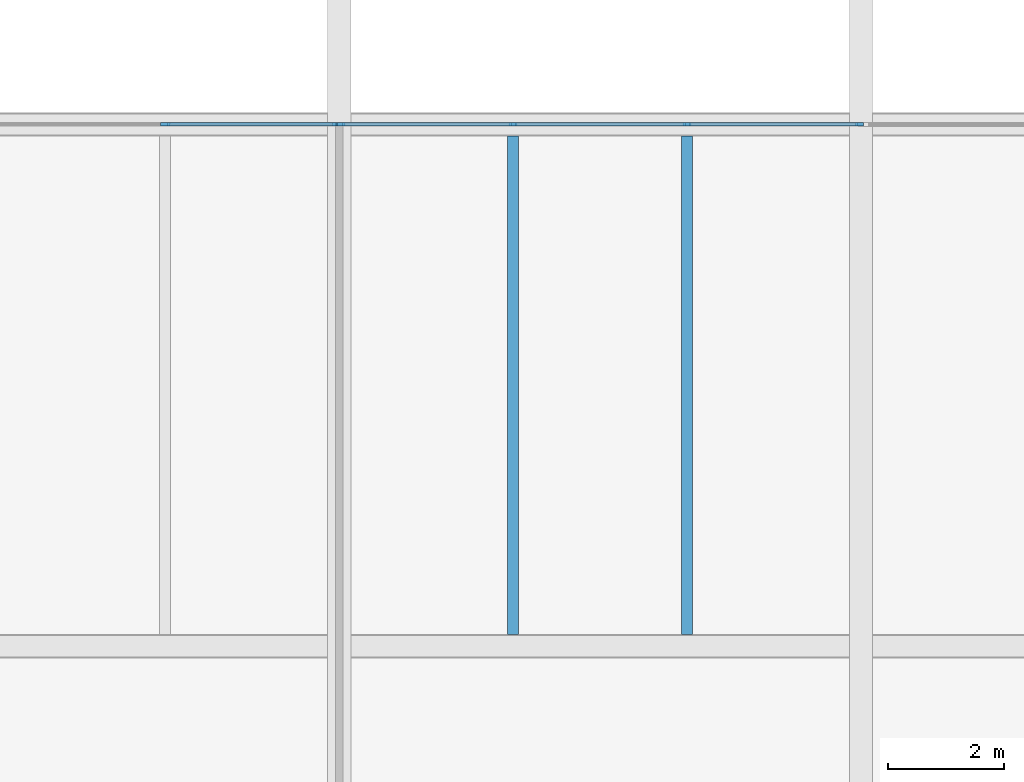
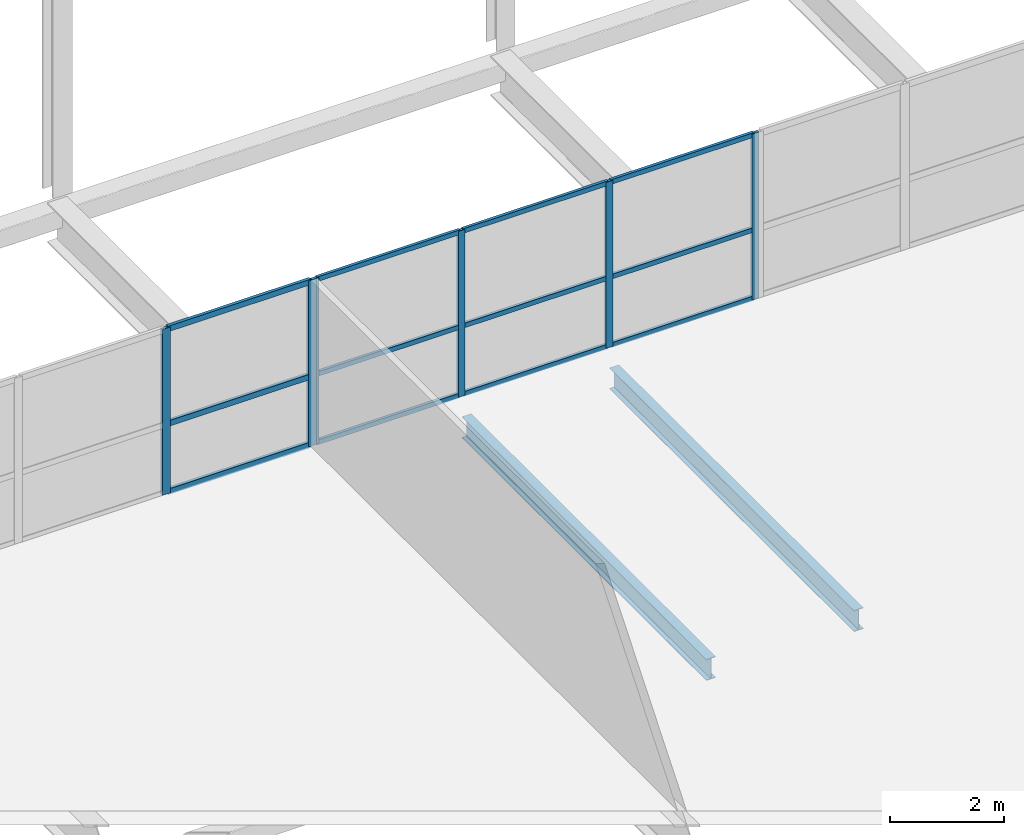
# One storey, part 34 of 69: 18 members, 2 beams, 2 elements without a shape of their own.
"""IFC4 building model written with IfcOpenShell, lengths in metres."""

from ifc_helpers import new_model, si_unit, direction, frame, origin, origin_2d, place, context, subcontext, project, spatial, rectangle, i_section, extrude, material, layer, layer_set, material_profile, profile_set, type_object, element, aggregate, save


model = new_model("IFC4")

# Units and contexts
model_context = context("Model", 3, precision=1e-05, world=origin(), true_north=direction((0.0, 1.0)))
body_context = subcontext(model_context, "Body", "Model", "MODEL_VIEW")
ifc_project = project(units=[si_unit("LENGTHUNIT", "METRE"), si_unit("AREAUNIT", "SQUARE_METRE"), si_unit("VOLUMEUNIT", "CUBIC_METRE"), si_unit("PLANEANGLEUNIT", "RADIAN"), si_unit("MASSUNIT", "GRAM", prefix="KILO")], contexts=[model_context])

# Site, building, storey
site_placement = place(None, origin())
site = spatial("IfcSite", under=ifc_project, at=site_placement, CompositionType="ELEMENT")
building_placement = place(site_placement, origin())
building = spatial("IfcBuilding", under=site, at=building_placement, Name="Qamarlyn Nura Convention Centre", CompositionType="ELEMENT")
storey_placement = place(building_placement, frame((0.0, 0.0, 15.60009765625)))
storey = spatial("IfcBuildingStorey", under=building, at=storey_placement, Name="L03", CompositionType="ELEMENT", Elevation=15.60009765625)

# Beams
ifc_material_1 = material(Name="Steel ASTM A992", Category="steel")
ifc_material_profile_1 = material_profile(ifc_material_1, i_section(OverallWidth=0.18994140625, OverallDepth=0.45703125, WebThickness=0.009033203125, FlangeThickness=0.014404296875, FilletRadius=0.012939453125, at=origin_2d()), Name="W460X74")
ifc_profile_set_1 = profile_set([ifc_material_profile_1], Name="Steel ASTM A992")
beam_type = type_object("IfcBeamType", Name="BM-JOIST-460", PredefinedType="JOIST", material=ifc_profile_set_1)
for number, where, z_axis, x_axis, name in (
    (1, (174.0, 108.199951171875, -0.528564453125), (0.0, 1.0, 0.0), (-1.0, 0.0, 0.0), "L03 secondary joist 15-16/N-P-40"),
    (2, (177.0, 108.199951171875, -0.528564453125), (0.0, 1.0, 0.0), (-1.0, 0.0, 0.0), "L03 secondary joist 15-16/N-P-41"),
):
    element("IfcBeam", number, at=place(storey_placement, frame(where, z_axis=z_axis, x_axis=x_axis)), inside=storey, type_object=beam_type, Name=name, PredefinedType="JOIST", context=body_context, shape_type="SweptSolid", body=[
        extrude(i_section(OverallWidth=0.18994140625, OverallDepth=0.45703125, WebThickness=0.009033203125, FlangeThickness=0.014404296875, FilletRadius=0.012939453125, at=origin_2d()), origin(), (0.0, 0.0, 1.0), 8.60009765625),
    ])

# Curtain wall, members
ifc_material_2 = material(Name="Double-silver low-E insulated glass", Category="glass")
ifc_layer = layer(ifc_material_2, 0.179931640625, Name="CW-UNIT-131")
ifc_layer_set = layer_set([ifc_layer], Name="Double-silver low-E insulated glass")
curtain_wall_type = type_object("IfcCurtainWallType", Name="CW-UNIT-131", PredefinedType="NOTDEFINED", material=ifc_layer_set)
curtain_wall_1_placement = place(storey_placement, origin())
curtain_wall_1 = element("IfcCurtainWall", 3, at=curtain_wall_1_placement, inside=storey, type_object=curtain_wall_type, Name="L03 unitised curtain wall PLN-N4-1", PredefinedType="NOTDEFINED")
ifc_material_3 = material(Name="Champagne-anodised marine aluminium", Category="aluminium")
ifc_material_profile_2 = material_profile(ifc_material_3, rectangle(XDim=0.06005859375, YDim=0.139892578125, at=origin_2d()), Name="ALU MULLION 60x140")
ifc_profile_set_2 = profile_set([ifc_material_profile_2], Name="Champagne-anodised marine aluminium")
member_type_1 = type_object("IfcMemberType", Name="CWM-140", PredefinedType="MULLION", material=ifc_profile_set_2)
member_1_placement = place(storey_placement, frame((171.030029296875, 117.0, 0.0), z_axis=(0.0, 0.0, 1.0), x_axis=(0.0, 1.0, 0.0)))
member_1 = element("IfcMember", 4, at=member_1_placement, type_object=member_type_1, Name="CW131 mullion 1", PredefinedType="MULLION", context=body_context, shape_type="SweptSolid", body=[
    extrude(rectangle(XDim=0.06005859375, YDim=0.139892578125, at=origin_2d()), origin(), (0.0, 0.0, 1.0), 3.5634765625),
])
member_2_placement = place(storey_placement, frame((174.0, 117.0, 0.0), z_axis=(0.0, 0.0, 1.0), x_axis=(0.0, 1.0, 0.0)))
member_2 = element("IfcMember", 5, at=member_2_placement, type_object=member_type_1, Name="CW131 mullion 2", PredefinedType="MULLION", context=body_context, shape_type="SweptSolid", body=[
    extrude(rectangle(XDim=0.06005859375, YDim=0.139892578125, at=origin_2d()), origin(), (0.0, 0.0, 1.0), 3.5634765625),
])
member_3_placement = place(storey_placement, frame((177.0, 117.0, 0.0), z_axis=(0.0, 0.0, 1.0), x_axis=(0.0, 1.0, 0.0)))
member_3 = element("IfcMember", 6, at=member_3_placement, type_object=member_type_1, Name="CW131 mullion 3", PredefinedType="MULLION", context=body_context, shape_type="SweptSolid", body=[
    extrude(rectangle(XDim=0.06005859375, YDim=0.139892578125, at=origin_2d()), origin(), (0.0, 0.0, 1.0), 3.5634765625),
])
member_4_placement = place(storey_placement, frame((179.969970703125, 117.0, 0.0), z_axis=(0.0, 0.0, 1.0), x_axis=(0.0, 1.0, 0.0)))
member_4 = element("IfcMember", 7, at=member_4_placement, type_object=member_type_1, Name="CW131 mullion 4", PredefinedType="MULLION", context=body_context, shape_type="SweptSolid", body=[
    extrude(rectangle(XDim=0.06005859375, YDim=0.139892578125, at=origin_2d()), origin(), (0.0, 0.0, 1.0), 3.5634765625),
])

curtain_wall_2_placement = place(storey_placement, origin())
curtain_wall_2 = element("IfcCurtainWall", 8, at=curtain_wall_2_placement, inside=storey, type_object=curtain_wall_type, Name="L03 unitised curtain wall PLN-N3-1", PredefinedType="NOTDEFINED")
ifc_material_profile_3 = material_profile(ifc_material_3, rectangle(XDim=0.06494140625, YDim=0.159912109375, at=origin_2d()), Name="ALU MULLION 65x160")
ifc_profile_set_3 = profile_set([ifc_material_profile_3], Name="Champagne-anodised marine aluminium")
member_type_2 = type_object("IfcMemberType", Name="CWM-160", PredefinedType="MULLION", material=ifc_profile_set_3)
member_5_placement = place(storey_placement, frame((168.0, 117.0, 0.0), z_axis=(0.0, 0.0, 1.0), x_axis=(0.0, 1.0, 0.0)))
member_5 = element("IfcMember", 9, at=member_5_placement, type_object=member_type_2, Name="CW131 mullion 3", PredefinedType="MULLION", context=body_context, shape_type="SweptSolid", body=[
    extrude(rectangle(XDim=0.06494140625, YDim=0.159912109375, at=origin_2d()), origin(), (0.0, 0.0, 1.0), 3.5634765625),
])
member_6_placement = place(storey_placement, frame((170.967529296875, 117.0, 0.0), z_axis=(0.0, 0.0, 1.0), x_axis=(0.0, 1.0, 0.0)))
member_6 = element("IfcMember", 10, at=member_6_placement, type_object=member_type_2, Name="CW131 mullion 4", PredefinedType="MULLION", context=body_context, shape_type="SweptSolid", body=[
    extrude(rectangle(XDim=0.06494140625, YDim=0.159912109375, at=origin_2d()), origin(), (0.0, 0.0, 1.0), 3.5634765625),
])

# Member
ifc_material_profile_4 = material_profile(ifc_material_3, rectangle(XDim=0.06005859375, YDim=0.10009765625, at=origin_2d()), Name="ALU TRANSOM 60x100")
ifc_profile_set_4 = profile_set([ifc_material_profile_4], Name="Champagne-anodised marine aluminium")
member_type_3 = type_object("IfcMemberType", Name="CWT-100", PredefinedType="USERDEFINED", material=ifc_profile_set_4)
member_7_placement = place(storey_placement, frame((171.06005859375, 117.0, 0.02978515625), z_axis=(1.0, 0.0, 0.0), x_axis=(0.0, 1.0, 0.0)))
member_7 = element("IfcMember", 11, at=member_7_placement, type_object=member_type_3, Name="CW131 transom 1.1", ObjectType="TRANSOM", PredefinedType="USERDEFINED", context=body_context, shape_type="SweptSolid", body=[
    extrude(rectangle(XDim=0.06005859375, YDim=0.10009765625, at=origin_2d()), origin(), (0.0, 0.0, 1.0), 2.909912109375),
])

member_8_placement = place(storey_placement, frame((171.06005859375, 117.0, 1.496826171875), z_axis=(1.0, 0.0, 0.0), x_axis=(0.0, 1.0, 0.0)))
member_8 = element("IfcMember", 12, at=member_8_placement, type_object=member_type_3, Name="CW131 transom 1.2", ObjectType="TRANSOM", PredefinedType="USERDEFINED", context=body_context, shape_type="SweptSolid", body=[
    extrude(rectangle(XDim=0.06005859375, YDim=0.10009765625, at=origin_2d()), origin(), (0.0, 0.0, 1.0), 2.909912109375),
])

member_9_placement = place(storey_placement, frame((171.06005859375, 117.0, 3.533447265625), z_axis=(1.0, 0.0, 0.0), x_axis=(0.0, 1.0, 0.0)))
member_9 = element("IfcMember", 13, at=member_9_placement, type_object=member_type_3, Name="CW131 transom 1.3", ObjectType="TRANSOM", PredefinedType="USERDEFINED", context=body_context, shape_type="SweptSolid", body=[
    extrude(rectangle(XDim=0.06005859375, YDim=0.10009765625, at=origin_2d()), origin(), (0.0, 0.0, 1.0), 2.909912109375),
])

member_10_placement = place(storey_placement, frame((174.030029296875, 117.0, 0.02978515625), z_axis=(1.0, 0.0, 0.0), x_axis=(0.0, 1.0, 0.0)))
member_10 = element("IfcMember", 14, at=member_10_placement, type_object=member_type_3, Name="CW131 transom 2.1", ObjectType="TRANSOM", PredefinedType="USERDEFINED", context=body_context, shape_type="SweptSolid", body=[
    extrude(rectangle(XDim=0.06005859375, YDim=0.10009765625, at=origin_2d()), origin(), (0.0, 0.0, 1.0), 2.93994140625),
])

member_11_placement = place(storey_placement, frame((174.030029296875, 117.0, 1.496826171875), z_axis=(1.0, 0.0, 0.0), x_axis=(0.0, 1.0, 0.0)))
member_11 = element("IfcMember", 15, at=member_11_placement, type_object=member_type_3, Name="CW131 transom 2.2", ObjectType="TRANSOM", PredefinedType="USERDEFINED", context=body_context, shape_type="SweptSolid", body=[
    extrude(rectangle(XDim=0.06005859375, YDim=0.10009765625, at=origin_2d()), origin(), (0.0, 0.0, 1.0), 2.93994140625),
])

member_12_placement = place(storey_placement, frame((174.030029296875, 117.0, 3.533447265625), z_axis=(1.0, 0.0, 0.0), x_axis=(0.0, 1.0, 0.0)))
member_12 = element("IfcMember", 16, at=member_12_placement, type_object=member_type_3, Name="CW131 transom 2.3", ObjectType="TRANSOM", PredefinedType="USERDEFINED", context=body_context, shape_type="SweptSolid", body=[
    extrude(rectangle(XDim=0.06005859375, YDim=0.10009765625, at=origin_2d()), origin(), (0.0, 0.0, 1.0), 2.93994140625),
])

member_13_placement = place(storey_placement, frame((177.030029296875, 117.0, 0.02978515625), z_axis=(1.0, 0.0, 0.0), x_axis=(0.0, 1.0, 0.0)))
member_13 = element("IfcMember", 17, at=member_13_placement, type_object=member_type_3, Name="CW131 transom 3.1", ObjectType="TRANSOM", PredefinedType="USERDEFINED", context=body_context, shape_type="SweptSolid", body=[
    extrude(rectangle(XDim=0.06005859375, YDim=0.10009765625, at=origin_2d()), origin(), (0.0, 0.0, 1.0), 2.909912109375),
])

member_14_placement = place(storey_placement, frame((177.030029296875, 117.0, 1.496826171875), z_axis=(1.0, 0.0, 0.0), x_axis=(0.0, 1.0, 0.0)))
member_14 = element("IfcMember", 18, at=member_14_placement, type_object=member_type_3, Name="CW131 transom 3.2", ObjectType="TRANSOM", PredefinedType="USERDEFINED", context=body_context, shape_type="SweptSolid", body=[
    extrude(rectangle(XDim=0.06005859375, YDim=0.10009765625, at=origin_2d()), origin(), (0.0, 0.0, 1.0), 2.909912109375),
])

member_15_placement = place(storey_placement, frame((177.030029296875, 117.0, 3.533447265625), z_axis=(1.0, 0.0, 0.0), x_axis=(0.0, 1.0, 0.0)))
member_15 = element("IfcMember", 19, at=member_15_placement, type_object=member_type_3, Name="CW131 transom 3.3", ObjectType="TRANSOM", PredefinedType="USERDEFINED", context=body_context, shape_type="SweptSolid", body=[
    extrude(rectangle(XDim=0.06005859375, YDim=0.10009765625, at=origin_2d()), origin(), (0.0, 0.0, 1.0), 2.909912109375),
])

aggregate(curtain_wall_1, [member_1, member_2, member_3, member_4, member_7, member_8, member_9, member_10, member_11, member_12, member_13, member_14, member_15])

ifc_material_profile_5 = material_profile(ifc_material_3, rectangle(XDim=0.06494140625, YDim=0.1201171875, at=origin_2d()), Name="ALU TRANSOM 65x120")
ifc_profile_set_5 = profile_set([ifc_material_profile_5], Name="Champagne-anodised marine aluminium")
member_type_4 = type_object("IfcMemberType", Name="CWT-120", PredefinedType="USERDEFINED", material=ifc_profile_set_5)
member_16_placement = place(storey_placement, frame((168.032470703125, 117.0, 0.032470703125), z_axis=(1.0, 0.0, 0.0), x_axis=(0.0, 1.0, 0.0)))
member_16 = element("IfcMember", 20, at=member_16_placement, type_object=member_type_4, Name="CW131 transom 3.1", ObjectType="TRANSOM", PredefinedType="USERDEFINED", context=body_context, shape_type="SweptSolid", body=[
    extrude(rectangle(XDim=0.06494140625, YDim=0.1201171875, at=origin_2d()), origin(), (0.0, 0.0, 1.0), 2.902587890625),
])

member_17_placement = place(storey_placement, frame((168.032470703125, 117.0, 1.496826171875), z_axis=(1.0, 0.0, 0.0), x_axis=(0.0, 1.0, 0.0)))
member_17 = element("IfcMember", 21, at=member_17_placement, type_object=member_type_4, Name="CW131 transom 3.2", ObjectType="TRANSOM", PredefinedType="USERDEFINED", context=body_context, shape_type="SweptSolid", body=[
    extrude(rectangle(XDim=0.06494140625, YDim=0.1201171875, at=origin_2d()), origin(), (0.0, 0.0, 1.0), 2.902587890625),
])

member_18_placement = place(storey_placement, frame((168.032470703125, 117.0, 3.531005859375), z_axis=(1.0, 0.0, 0.0), x_axis=(0.0, 1.0, 0.0)))
member_18 = element("IfcMember", 22, at=member_18_placement, type_object=member_type_4, Name="CW131 transom 3.3", ObjectType="TRANSOM", PredefinedType="USERDEFINED", context=body_context, shape_type="SweptSolid", body=[
    extrude(rectangle(XDim=0.06494140625, YDim=0.1201171875, at=origin_2d()), origin(), (0.0, 0.0, 1.0), 2.902587890625),
])

aggregate(curtain_wall_2, [member_5, member_6, member_16, member_17, member_18])

save(model, "model.ifc")
